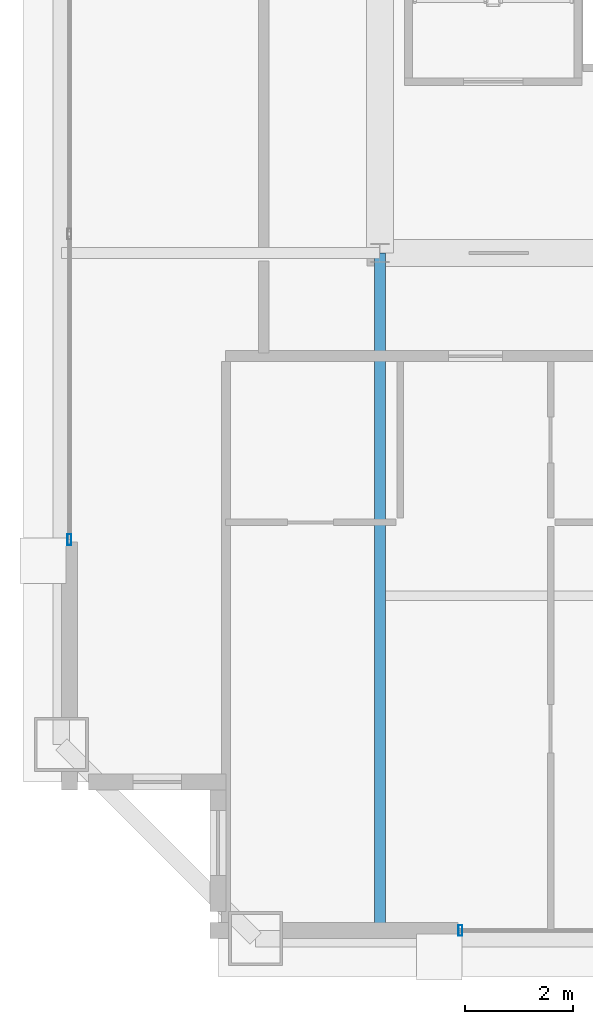
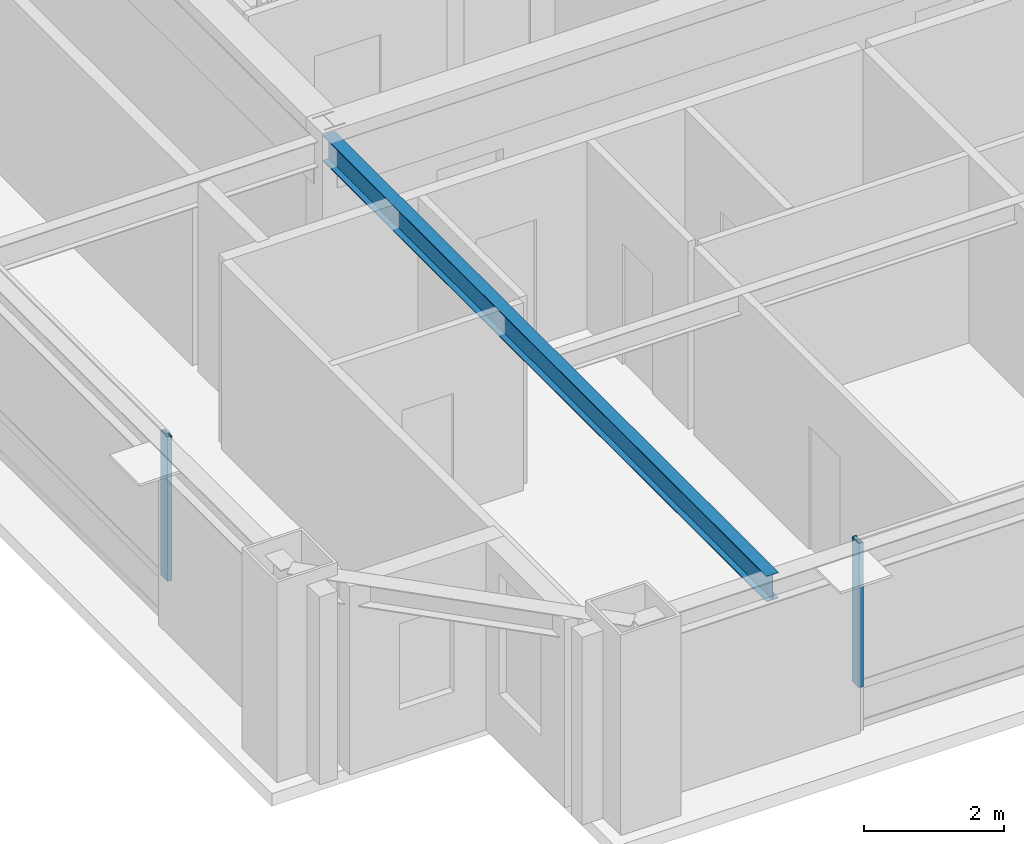
# One storey, part 4 of 35: 2 members, 1 beam, 2 elements without a shape of their own.
"""IFC4 building model written with IfcOpenShell, lengths in metres."""

from ifc_helpers import new_model, si_unit, direction, frame, origin, origin_2d, place, context, subcontext, project, spatial, hollow_rectangle, i_section, extrude, source, transform, mapped, material, layer, layer_set, material_profile, profile_set, type_object, element, aggregate, save


model = new_model("IFC4")

# Units and contexts
model_context = context("Model", 3, precision=1e-05, world=origin(), true_north=direction((0.0, 1.0)))
body_context = subcontext(model_context, "Body", "Model", "MODEL_VIEW")
ifc_project = project(units=[si_unit("LENGTHUNIT", "METRE"), si_unit("AREAUNIT", "SQUARE_METRE"), si_unit("VOLUMEUNIT", "CUBIC_METRE"), si_unit("PLANEANGLEUNIT", "RADIAN"), si_unit("MASSUNIT", "GRAM", prefix="KILO"), si_unit("THERMODYNAMICTEMPERATUREUNIT", "KELVIN"), si_unit("POWERUNIT", "WATT")], contexts=[model_context])

# Site, building, storey
site_placement = place(None, origin())
site = spatial("IfcSite", under=ifc_project, at=site_placement, CompositionType="ELEMENT")
building_placement = place(site_placement, origin())
building = spatial("IfcBuilding", under=site, at=building_placement, Name="Yuzanri Waterfront Tower", CompositionType="ELEMENT")
storey_placement = place(building_placement, frame((0.0, 0.0, 289.10009765625)))
storey = spatial("IfcBuildingStorey", under=building, at=storey_placement, Name="L77", CompositionType="ELEMENT", Elevation=289.10009765625)

# Beam
ifc_material_1 = material(Name="Steel Q355B", Category="steel")
ifc_material_profile_1 = material_profile(ifc_material_1, i_section(OverallWidth=0.199951171875, OverallDepth=0.449951171875, WebThickness=0.009033203125, FlangeThickness=0.013916015625, at=origin_2d()), Name="HN 450x200x9x14")
ifc_profile_set_1 = profile_set([ifc_material_profile_1], Name="Steel Q355B")
beam_type = type_object("IfcBeamType", Name="Secondary Floor Beam Q355B HN 450x200", PredefinedType="BEAM", material=ifc_profile_set_1)
shared_shape_1 = source(origin(), body_context, "Body", "SweptSolid", [
    extrude(i_section(OverallWidth=0.199951171875, OverallDepth=0.449951171875, WebThickness=0.009033203125, FlangeThickness=0.013916015625, at=origin_2d()), origin(), (0.0, 0.0, 1.0), 12.699951171875),
])
beam_placement = place(storey_placement, frame((23.800048828125, 19.39990234375, 3.054931640625), z_axis=(0.0, -1.0, 0.0), x_axis=(1.0, 0.0, 0.0)))
element("IfcBeam", 1, at=beam_placement, inside=storey, type_object=beam_type, Name="L77 South-West Core Line Beam", PredefinedType="BEAM", context=body_context, shape_type="MappedRepresentation", body=[
    mapped(shared_shape_1, transform((0.0, 0.0, 0.0), scale=1.0)),
])

# Curtain wall, member
ifc_material_2 = material(Name="Anodized Architectural Bronze", Category="metal")
ifc_layer = layer(ifc_material_2, 0.159912109375)
ifc_layer_set = layer_set([ifc_layer], Name="Anodized Architectural Bronze")
curtain_wall_type = type_object("IfcCurtainWallType", Name="Anodized Bronze High-Rise Penthouse High-Wind Unitized Curtain Wall 6900", PredefinedType="NOTDEFINED", material=ifc_layer_set)
curtain_wall_1_placement = place(storey_placement, origin())
curtain_wall_1 = element("IfcCurtainWall", 2, at=curtain_wall_1_placement, inside=storey, type_object=curtain_wall_type, Name="L77 Curtain Wall CW-L77-SL", PredefinedType="NOTDEFINED")
ifc_material_3 = material(Name="Anodized Architectural Bronze", Category="metal")
ifc_material_profile_2 = material_profile(ifc_material_3, hollow_rectangle(XDim=0.074951171875, YDim=0.199951171875, WallThickness=0.00390625, at=origin_2d()), Name="CWM 75x200")
ifc_profile_set_2 = profile_set([ifc_material_profile_2], Name="Anodized Architectural Bronze")
member_type = type_object("IfcMemberType", Name="Anodized Bronze Primary Curtain-Wall Mullion 75x200", PredefinedType="MULLION", material=ifc_profile_set_2)
shared_shape_2 = source(origin(), body_context, "Body", "SweptSolid", [
    extrude(hollow_rectangle(XDim=0.074951171875, YDim=0.199951171875, WallThickness=0.00390625, at=origin_2d()), origin(), (0.0, 0.0, 1.0), 2.52392578125),
])
member_1_placement = place(storey_placement, frame((25.2900390625, 6.85009765625, 0.755859375), z_axis=(0.0, 0.0, 1.0), x_axis=(1.0, 0.0, 0.0)))
member_1 = element("IfcMember", 3, at=member_1_placement, type_object=member_type, Name="CW-L77-SL Upper Mullion 00", PredefinedType="MULLION", context=body_context, shape_type="MappedRepresentation", body=[
    mapped(shared_shape_2, transform((0.0, 0.0, 0.0), scale=1.0)),
])
aggregate(curtain_wall_1, [member_1])

curtain_wall_2_placement = place(storey_placement, origin())
curtain_wall_2 = element("IfcCurtainWall", 4, at=curtain_wall_2_placement, inside=storey, type_object=curtain_wall_type, Name="L77 Curtain Wall CW-L77-WL", PredefinedType="NOTDEFINED")
member_2_placement = place(storey_placement, frame((18.050048828125, 14.090087890625, 0.755859375), z_axis=(0.0, 0.0, 1.0), x_axis=(1.0, 0.0, 0.0)))
member_2 = element("IfcMember", 5, at=member_2_placement, type_object=member_type, Name="CW-L77-WL Upper Mullion 00", PredefinedType="MULLION", context=body_context, shape_type="MappedRepresentation", body=[
    mapped(shared_shape_2, transform((0.0, 0.0, 0.0), scale=1.0)),
])
aggregate(curtain_wall_2, [member_2])

save(model, "model.ifc")
